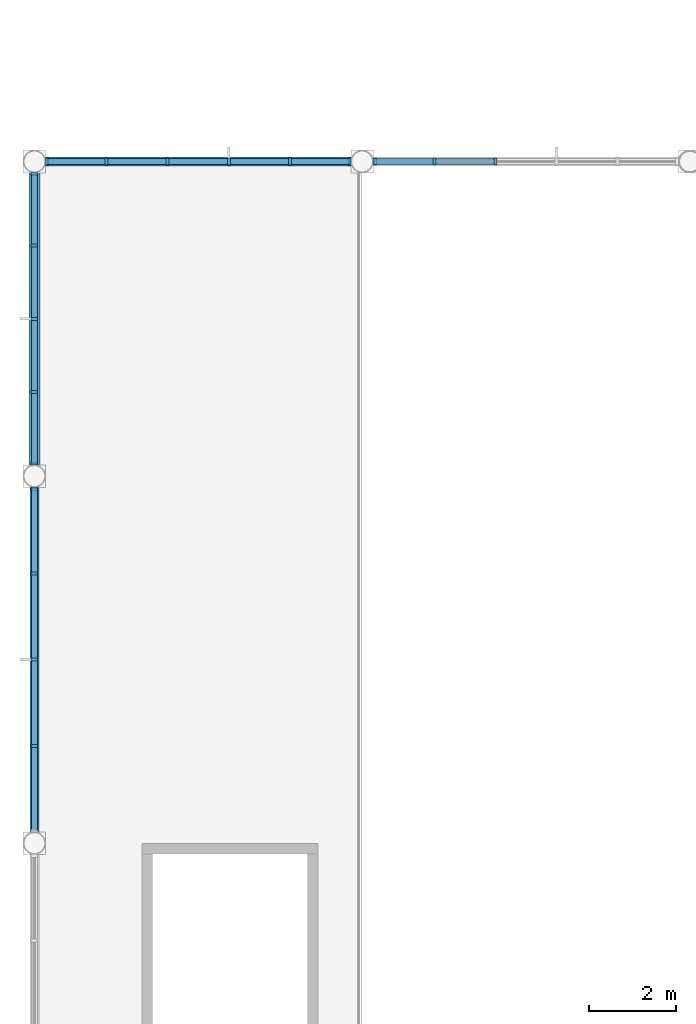
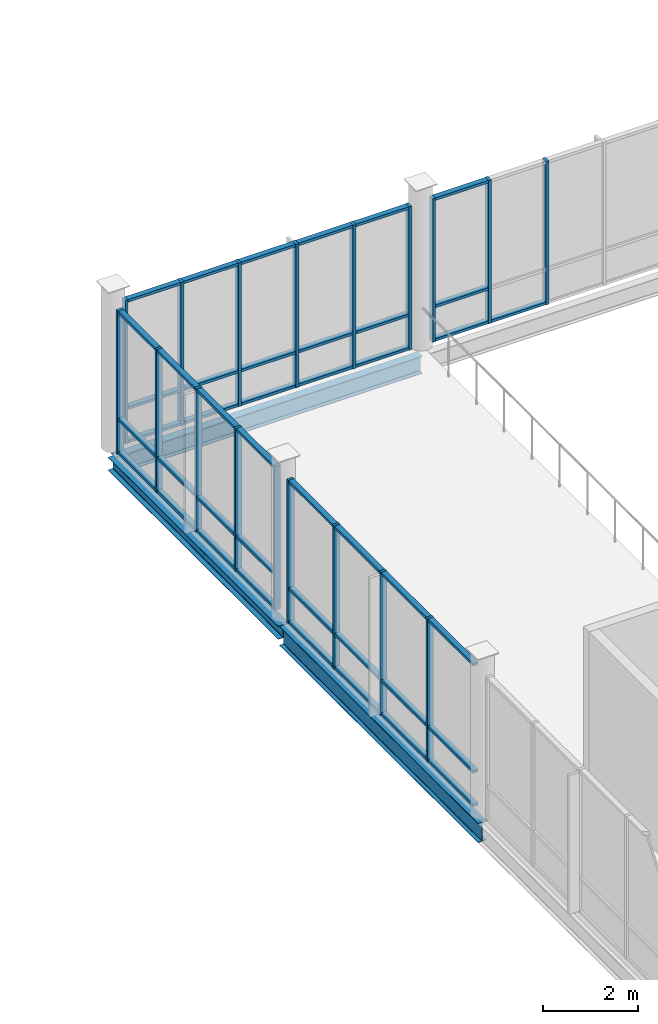
# One storey, part 18 of 75: 61 members, 3 beams, 4 elements without a shape of their own.
"""IFC4 building model written with IfcOpenShell, lengths in metres."""

import ifcopenshell
import ifcopenshell.guid

model = None  # the IFC model being written
_history = None  # IfcOwnerHistory: only IFC2X3 demands one
_inside = {}  # id of a spatial element -> (the spatial element, [elements in it])
_under = {}  # id of a project, library or spatial element -> (it, [spatial elements below it])
_declared = {}  # id of a project -> (the project, [libraries it declares])
_typed = {}  # id of a type object -> (the type object, [elements of that type])
_made_of = {}  # id of a material, layer set ... -> (it, [elements and type objects made of it])


def new_model(schema):
    """Start an empty IFC model of exactly this schema.

    Asked for "IFC4X3", IfcOpenShell would pick the latest addendum, in which some entities
    have other attributes; the version numbers below select the first issue.
    IFC2X3 requires an IfcOwnerHistory on every rooted entity: one is made here for all.
    """
    global model, _history
    if schema == "IFC4X3":
        model = ifcopenshell.file(schema_version=(4, 3, 0, 0))
    else:
        model = ifcopenshell.file(schema=schema)
    _inside.clear()
    _under.clear()
    _declared.clear()
    _typed.clear()
    _made_of.clear()
    _history = None
    if model.schema == "IFC2X3":
        org = make("IfcOrganization", Name="unknown")
        user = make(
            "IfcPersonAndOrganization",
            ThePerson=make("IfcPerson", FamilyName="unknown"),
            TheOrganization=org,
        )
        app = make(
            "IfcApplication",
            ApplicationDeveloper=org,
            Version="unknown",
            ApplicationFullName="unknown",
            ApplicationIdentifier="unknown",
        )
        _history = make(
            "IfcOwnerHistory",
            OwningUser=user,
            OwningApplication=app,
            ChangeAction="ADDED",
            CreationDate=0,
        )
    return model


def make(cls, **values):
    """One entity of the class cls with the attributes given. An attribute that is None is left unset."""
    return model.create_entity(
        cls, **{name: value for name, value in values.items() if value is not None}
    )


def rooted(cls, **values):
    """An entity with a GlobalId (a new one), such as an element, a storey or a relation."""
    return make(cls, GlobalId=ifcopenshell.guid.new(), OwnerHistory=_history, **values)


def si_unit(unit_type, name, prefix=None):
    """IfcSIUnit, for example si_unit("LENGTHUNIT", "METRE", prefix="MILLI")."""
    return make("IfcSIUnit", UnitType=unit_type, Prefix=prefix, Name=name)


def assignment(units):
    """IfcUnitAssignment: the units of a project."""
    return None if units is None else make("IfcUnitAssignment", Units=units)


def point(xyz):
    """IfcCartesianPoint."""
    return None if xyz is None else make("IfcCartesianPoint", Coordinates=xyz)


def direction(xyz):
    """IfcDirection."""
    return None if xyz is None else make("IfcDirection", DirectionRatios=xyz)


def frame(location, z_axis=None, x_axis=None):
    """IfcAxis2Placement3D, a coordinate frame: its origin and axes. An axis left out is left unset."""
    return make(
        "IfcAxis2Placement3D",
        Location=point(location),
        Axis=direction(z_axis),
        RefDirection=direction(x_axis),
    )


def frame_2d(location, x_axis=None):
    """IfcAxis2Placement2D, a coordinate frame in the plane: its origin and x axis."""
    return make(
        "IfcAxis2Placement2D", Location=point(location), RefDirection=direction(x_axis)
    )


def origin():
    """The frame at (0, 0, 0) with its axes left unset."""
    return frame((0.0, 0.0, 0.0))


def origin_2d():
    """The frame at (0, 0) in the plane with its x axis left unset."""
    return frame_2d((0.0, 0.0))


def place(relative_to, where):
    """IfcLocalPlacement: puts the frame where relative to a parent placement (None: the world)."""
    return make(
        "IfcLocalPlacement", PlacementRelTo=relative_to, RelativePlacement=where
    )


def context(
    kind, dimensions, precision=None, world=None, true_north=None, identifier=None
):
    """IfcGeometricRepresentationContext, for example the 3D "Model" context."""
    return make(
        "IfcGeometricRepresentationContext",
        ContextIdentifier=identifier,
        ContextType=kind,
        CoordinateSpaceDimension=dimensions,
        Precision=precision,
        WorldCoordinateSystem=world,
        TrueNorth=true_north,
    )


def subcontext(parent, identifier, kind, view, scale=None):
    """IfcGeometricRepresentationSubContext, for example "Body" below "Model"."""
    return make(
        "IfcGeometricRepresentationSubContext",
        ContextIdentifier=identifier,
        ContextType=kind,
        ParentContext=parent,
        TargetScale=scale,
        TargetView=view,
    )


def project(units=None, contexts=None):
    """IfcProject with its units and contexts."""
    return rooted(
        "IfcProject",
        Name="project",
        RepresentationContexts=contexts,
        UnitsInContext=assignment(units),
    )


def spatial(cls, under=None, at=None, **own):
    """A site, building, storey or space (cls), placed at a placement, below another one or the project."""
    s = rooted(cls, ObjectPlacement=at, **own)
    if under is not None:
        _under.setdefault(under.id(), (under, []))[1].append(s)
    return s


def profile(cls, at=None, kind="AREA", **sizes):
    """A parametric profile (cls). Its sizes go by their IFC names, for example OverallWidth=200.0."""
    return make(cls, ProfileType=kind, Position=at, **sizes)


def rectangle(**sizes):
    """IfcRectangleProfileDef."""
    return profile("IfcRectangleProfileDef", **sizes)


def i_section(**sizes):
    """IfcIShapeProfileDef."""
    return profile("IfcIShapeProfileDef", **sizes)


def extrude(swept, where, along, depth):
    """IfcExtrudedAreaSolid: the profile swept, set in the frame where, extruded along a direction by depth."""
    return make(
        "IfcExtrudedAreaSolid",
        SweptArea=swept,
        Position=where,
        ExtrudedDirection=direction(along),
        Depth=depth,
    )


def shape(context_of_items, identifier, shape_type, items):
    """IfcShapeRepresentation: the items that make up one representation, for example the "Body"."""
    return make(
        "IfcShapeRepresentation",
        ContextOfItems=context_of_items,
        RepresentationIdentifier=identifier,
        RepresentationType=shape_type,
        Items=items,
    )


def material(Name=None, Category=None):
    """IfcMaterial."""
    return make("IfcMaterial", Name=Name, Category=Category)


def layer(
    of_material, thickness, ventilated=None, Name=None, Category=None, Priority=None
):
    """IfcMaterialLayer: one layer of a wall or slab, of a material (None: an air gap)."""
    return make(
        "IfcMaterialLayer",
        Material=of_material,
        LayerThickness=thickness,
        IsVentilated=ventilated,
        Name=Name,
        Category=Category,
        Priority=Priority,
    )


def layer_set(layers, Name=None):
    """IfcMaterialLayerSet."""
    return make("IfcMaterialLayerSet", MaterialLayers=layers, LayerSetName=Name)


def material_profile(
    of_material, cross_section, Name=None, Category=None, Priority=None
):
    """IfcMaterialProfile: a cross section and its material."""
    return make(
        "IfcMaterialProfile",
        Name=Name,
        Material=of_material,
        Profile=cross_section,
        Priority=Priority,
        Category=Category,
    )


def profile_set(profiles, Name=None, composite=None):
    """IfcMaterialProfileSet."""
    return make(
        "IfcMaterialProfileSet",
        Name=Name,
        MaterialProfiles=profiles,
        CompositeProfile=composite,
    )


def made_of(thing, what):
    """Note that an element or type object is made of a material, layer set ...; save() writes the relation."""
    if what is not None:
        _made_of.setdefault(what.id(), (what, []))[1].append(thing)
    return thing


def type_object(cls, material=None, **own):
    """A type object (cls), such as IfcWallType, which elements share."""
    return made_of(rooted(cls, **own), material)


def element(
    cls,
    number,
    at=None,
    inside=None,
    cuts=None,
    type_object=None,
    material=None,
    context=None,
    identifier="Body",
    shape_type=None,
    held_by="IfcProductDefinitionShape",
    body=None,
    shapes=None,
    **own,
):
    """One element of the class cls, such as IfcWall. Its Tag is "e" and its number.

    at: its placement. inside: the storey or other place that contains it. cuts: it is an
    opening in that element (IfcRelVoidsElement). A single representation is given by context,
    identifier, shape_type and body (its items); several are given by shapes. held_by: the class
    of the entity that holds the representations. save() writes the other relations.
    """
    e = rooted(cls, Tag="e%d" % number, ObjectPlacement=at, **own)
    if body is not None:
        shapes = [shape(context, identifier, shape_type, body)]
    if shapes is not None:
        e.Representation = make(held_by, Representations=shapes)
    if inside is not None:
        _inside.setdefault(inside.id(), (inside, []))[1].append(e)
    if cuts is not None:
        rooted(
            "IfcRelVoidsElement", RelatingBuildingElement=cuts, RelatedOpeningElement=e
        )
    if type_object is not None:
        _typed.setdefault(type_object.id(), (type_object, []))[1].append(e)
    return made_of(e, material)


def aggregate(whole, parts):
    """IfcRelAggregates: a whole, such as a stair, and the parts it consists of."""
    return rooted("IfcRelAggregates", RelatingObject=whole, RelatedObjects=parts)


def save(model, path):
    """Write the relations noted so far, then the file.

    IfcRelAggregates (storeys below a building ...), IfcRelContainedInSpatialStructure (elements
    in a storey), IfcRelDefinesByType, IfcRelAssociatesMaterial and IfcRelDeclares: one each for
    every whole, place, type object, material and project.
    """
    for whole, parts in _under.values():
        aggregate(whole, parts)
    for where, things in _inside.values():
        rooted(
            "IfcRelContainedInSpatialStructure",
            RelatedElements=things,
            RelatingStructure=where,
        )
    for kind, things in _typed.values():
        rooted("IfcRelDefinesByType", RelatedObjects=things, RelatingType=kind)
    for what, things in _made_of.values():
        rooted("IfcRelAssociatesMaterial", RelatedObjects=things, RelatingMaterial=what)
    for by, libraries in _declared.values():
        rooted("IfcRelDeclares", RelatingContext=by, RelatedDefinitions=libraries)
    model.write(path)


model = new_model("IFC4")

# Units and contexts
model_context = context("Model", 3, precision=1e-05, world=origin(), true_north=direction((0.0, 1.0)))
body_context = subcontext(model_context, "Body", "Model", "MODEL_VIEW")
ifc_project = project(units=[si_unit("LENGTHUNIT", "METRE"), si_unit("AREAUNIT", "SQUARE_METRE"), si_unit("VOLUMEUNIT", "CUBIC_METRE"), si_unit("PLANEANGLEUNIT", "RADIAN"), si_unit("MASSUNIT", "GRAM", prefix="KILO")], contexts=[model_context])

# Site, building, storey
site_placement = place(None, origin())
site = spatial("IfcSite", under=ifc_project, at=site_placement, CompositionType="ELEMENT")
building_placement = place(site_placement, origin())
building = spatial("IfcBuilding", under=site, at=building_placement, Name="Yukiwa Park Conservatory and Herbarium", CompositionType="ELEMENT")
storey_placement = place(building_placement, frame((0.0, 0.0, 4.800048828125)))
storey = spatial("IfcBuildingStorey", under=building, at=storey_placement, Name="L01", CompositionType="ELEMENT", Elevation=4.800048828125)

# Beams
ifc_material_1 = material(Name="Steel Q355D", Category="steel")
ifc_material_profile_1 = material_profile(ifc_material_1, i_section(OverallWidth=0.25, OverallDepth=0.340087890625, WebThickness=0.009033203125, FlangeThickness=0.013916015625, FilletRadius=0.02001953125, at=origin_2d()), Name="HM 340x250x9x14")
ifc_profile_set_1 = profile_set([ifc_material_profile_1], Name="Steel Q355D")
beam_type_1 = type_object("IfcBeamType", Name="BM-GRD-HM340", PredefinedType="BEAM", material=ifc_profile_set_1)
beam_1_placement = place(storey_placement, frame((0.0, 24.006103515625, -0.41015625), z_axis=(0.0, 1.0, 0.0), x_axis=(-1.0, 0.0, 0.0)))
element("IfcBeam", 1, at=beam_1_placement, inside=storey, type_object=beam_type_1, Name="L01 grid girder Y-106", PredefinedType="BEAM", context=body_context, shape_type="SweptSolid", body=[
    extrude(i_section(OverallWidth=0.25, OverallDepth=0.340087890625, WebThickness=0.009033203125, FlangeThickness=0.013916015625, FilletRadius=0.02001953125, at=origin_2d()), origin(), (0.0, 0.0, 1.0), 7.18798828125),
])
ifc_material_2 = material(Name="Steel Q355D", Category="steel")
ifc_material_profile_2 = material_profile(ifc_material_2, i_section(OverallWidth=0.199951171875, OverallDepth=0.449951171875, WebThickness=0.009033203125, FlangeThickness=0.013916015625, FilletRadius=0.01806640625, at=origin_2d()), Name="HN 450x200x9x14")
ifc_profile_set_2 = profile_set([ifc_material_profile_2], Name="Steel Q355D")
beam_type_2 = type_object("IfcBeamType", Name="BM-GRD-HN450", PredefinedType="BEAM", material=ifc_profile_set_2)
beam_2_placement = place(storey_placement, frame((0.006103515625, 31.199951171875, -0.465087890625), z_axis=(1.0, 0.0, 0.0), x_axis=(0.0, 1.0, 0.0)))
element("IfcBeam", 2, at=beam_2_placement, inside=storey, type_object=beam_type_2, Name="L01 grid beam X-18", PredefinedType="BEAM", context=body_context, shape_type="SweptSolid", body=[
    extrude(i_section(OverallWidth=0.199951171875, OverallDepth=0.449951171875, WebThickness=0.009033203125, FlangeThickness=0.013916015625, FilletRadius=0.01806640625, at=origin_2d()), origin(), (0.0, 0.0, 1.0), 7.48779296875),
])
ifc_material_3 = material(Name="Steel Q355D", Category="steel")
ifc_material_profile_3 = material_profile(ifc_material_3, i_section(OverallWidth=0.199951171875, OverallDepth=0.5, WebThickness=0.010009765625, FlangeThickness=0.01611328125, FilletRadius=0.02001953125, at=origin_2d()), Name="HN 500x200x10x16")
ifc_profile_set_3 = profile_set([ifc_material_profile_3], Name="Steel Q355D")
beam_type_3 = type_object("IfcBeamType", Name="BM-GRD-HN500", PredefinedType="BEAM", material=ifc_profile_set_3)
beam_3_placement = place(storey_placement, frame((0.0, 15.60595703125, -0.489990234375), z_axis=(0.0, 1.0, 0.0), x_axis=(-1.0, 0.0, 0.0)))
element("IfcBeam", 3, at=beam_3_placement, inside=storey, type_object=beam_type_3, Name="L01 grid girder Y-105", PredefinedType="BEAM", context=body_context, shape_type="SweptSolid", body=[
    extrude(i_section(OverallWidth=0.199951171875, OverallDepth=0.5, WebThickness=0.010009765625, FlangeThickness=0.01611328125, FilletRadius=0.02001953125, at=origin_2d()), origin(), (0.0, 0.0, 1.0), 8.387939453125),
])

# Curtain wall, members
ifc_material_4 = material(Name="Triple Low-E Insulated Glass", Category="glass")
ifc_layer_1 = layer(ifc_material_4, 0.152099609375)
ifc_layer_set_1 = layer_set([ifc_layer_1], Name="Triple Low-E Insulated Glass")
curtain_wall_type_1 = type_object("IfcCurtainWallType", Name="CW-CONSERVATORY-1500", PredefinedType="NOTDEFINED", material=ifc_layer_set_1)
curtain_wall_1_placement = place(storey_placement, origin())
curtain_wall_1 = element("IfcCurtainWall", 4, at=curtain_wall_1_placement, inside=storey, type_object=curtain_wall_type_1, Name="L01 unitised curtain wall CW-L01-056", PredefinedType="NOTDEFINED")
ifc_material_5 = material(Name="Anodised Aluminium", Category="aluminium")
member_type_1 = type_object("IfcMemberType", Name="MB-CW-MUL-70X150", PredefinedType="MULLION", material=ifc_material_5)
member_1_placement = place(storey_placement, frame((10.55078125, 31.199951171875, 0.0), z_axis=(0.0, 0.0, 1.0), x_axis=(-1.0, 0.0, 0.0)))
member_1 = element("IfcMember", 5, at=member_1_placement, type_object=member_type_1, Name="CW-L01-056 mullion 4", PredefinedType="MULLION", context=body_context, shape_type="SweptSolid", body=[
    extrude(rectangle(XDim=0.070068359375, YDim=0.14990234375, at=origin_2d()), origin(), (0.0, 0.0, 1.0), 3.699951171875),
])
member_2_placement = place(storey_placement, frame((9.15234375, 31.199951171875, 0.0), z_axis=(0.0, 0.0, 1.0), x_axis=(-1.0, 0.0, 0.0)))
member_2 = element("IfcMember", 6, at=member_2_placement, type_object=member_type_1, Name="CW-L01-056 mullion 5", PredefinedType="MULLION", context=body_context, shape_type="SweptSolid", body=[
    extrude(rectangle(XDim=0.070068359375, YDim=0.14990234375, at=origin_2d()), origin(), (0.0, 0.0, 1.0), 3.699951171875),
])
member_3_placement = place(storey_placement, frame((7.7890625, 31.199951171875, 0.0), z_axis=(0.0, 0.0, 1.0), x_axis=(-1.0, 0.0, 0.0)))
member_3 = element("IfcMember", 7, at=member_3_placement, type_object=member_type_1, Name="CW-L01-056 mullion 6", PredefinedType="MULLION", context=body_context, shape_type="SweptSolid", body=[
    extrude(rectangle(XDim=0.070068359375, YDim=0.14990234375, at=origin_2d()), origin(), (0.0, 0.0, 1.0), 3.699951171875),
])

curtain_wall_2_placement = place(storey_placement, origin())
curtain_wall_2 = element("IfcCurtainWall", 8, at=curtain_wall_2_placement, inside=storey, type_object=curtain_wall_type_1, Name="L01 unitised curtain wall CW-L01-057", PredefinedType="NOTDEFINED")
member_4_placement = place(storey_placement, frame((7.2109375, 31.199951171875, 0.0), z_axis=(0.0, 0.0, 1.0), x_axis=(-1.0, 0.0, 0.0)))
member_4 = element("IfcMember", 9, at=member_4_placement, type_object=member_type_1, Name="CW-L01-057 mullion 1", PredefinedType="MULLION", context=body_context, shape_type="SweptSolid", body=[
    extrude(rectangle(XDim=0.070068359375, YDim=0.14990234375, at=origin_2d()), origin(), (0.0, 0.0, 1.0), 3.699951171875),
])
member_5_placement = place(storey_placement, frame((5.84765625, 31.199951171875, 0.0), z_axis=(0.0, 0.0, 1.0), x_axis=(-1.0, 0.0, 0.0)))
member_5 = element("IfcMember", 10, at=member_5_placement, type_object=member_type_1, Name="CW-L01-057 mullion 2", PredefinedType="MULLION", context=body_context, shape_type="SweptSolid", body=[
    extrude(rectangle(XDim=0.070068359375, YDim=0.14990234375, at=origin_2d()), origin(), (0.0, 0.0, 1.0), 3.699951171875),
])
member_6_placement = place(storey_placement, frame((4.44921875, 31.199951171875, 0.0), z_axis=(0.0, 0.0, 1.0), x_axis=(-1.0, 0.0, 0.0)))
member_6 = element("IfcMember", 11, at=member_6_placement, type_object=member_type_1, Name="CW-L01-057 mullion 3", PredefinedType="MULLION", context=body_context, shape_type="SweptSolid", body=[
    extrude(rectangle(XDim=0.070068359375, YDim=0.14990234375, at=origin_2d()), origin(), (0.0, 0.0, 1.0), 3.699951171875),
])
member_7_placement = place(storey_placement, frame((3.05078125, 31.199951171875, 0.0), z_axis=(0.0, 0.0, 1.0), x_axis=(-1.0, 0.0, 0.0)))
member_7 = element("IfcMember", 12, at=member_7_placement, type_object=member_type_1, Name="CW-L01-057 mullion 4", PredefinedType="MULLION", context=body_context, shape_type="SweptSolid", body=[
    extrude(rectangle(XDim=0.070068359375, YDim=0.14990234375, at=origin_2d()), origin(), (0.0, 0.0, 1.0), 3.699951171875),
])
member_8_placement = place(storey_placement, frame((1.65234375, 31.199951171875, 0.0), z_axis=(0.0, 0.0, 1.0), x_axis=(-1.0, 0.0, 0.0)))
member_8 = element("IfcMember", 13, at=member_8_placement, type_object=member_type_1, Name="CW-L01-057 mullion 5", PredefinedType="MULLION", context=body_context, shape_type="SweptSolid", body=[
    extrude(rectangle(XDim=0.070068359375, YDim=0.14990234375, at=origin_2d()), origin(), (0.0, 0.0, 1.0), 3.699951171875),
])
member_9_placement = place(storey_placement, frame((0.2890625, 31.199951171875, 0.0), z_axis=(0.0, 0.0, 1.0), x_axis=(-1.0, 0.0, 0.0)))
member_9 = element("IfcMember", 14, at=member_9_placement, type_object=member_type_1, Name="CW-L01-057 mullion 6", PredefinedType="MULLION", context=body_context, shape_type="SweptSolid", body=[
    extrude(rectangle(XDim=0.070068359375, YDim=0.14990234375, at=origin_2d()), origin(), (0.0, 0.0, 1.0), 3.699951171875),
])

ifc_material_6 = material(Name="Triple Low-E Insulated Glass", Category="glass")
ifc_layer_2 = layer(ifc_material_6, 0.1640625)
ifc_layer_set_2 = layer_set([ifc_layer_2], Name="Triple Low-E Insulated Glass")
curtain_wall_type_2 = type_object("IfcCurtainWallType", Name="CW-CONSERVATORY-1875", PredefinedType="NOTDEFINED", material=ifc_layer_set_2)
curtain_wall_3_placement = place(storey_placement, origin())
curtain_wall_3 = element("IfcCurtainWall", 15, at=curtain_wall_3_placement, inside=storey, type_object=curtain_wall_type_2, Name="L01 unitised curtain wall CW-L01-058", PredefinedType="NOTDEFINED")
member_10_placement = place(storey_placement, frame((0.0, 30.910888671875, 0.0), z_axis=(0.0, 0.0, 1.0), x_axis=(0.0, -1.0, 0.0)))
member_10 = element("IfcMember", 16, at=member_10_placement, type_object=member_type_1, Name="CW-L01-058 mullion 1", PredefinedType="MULLION", context=body_context, shape_type="SweptSolid", body=[
    extrude(rectangle(XDim=0.070068359375, YDim=0.14990234375, at=origin_2d()), origin(), (0.0, 0.0, 1.0), 3.699951171875),
])
member_11_placement = place(storey_placement, frame((0.0, 29.27294921875, 0.0), z_axis=(0.0, 0.0, 1.0), x_axis=(0.0, -1.0, 0.0)))
member_11 = element("IfcMember", 17, at=member_11_placement, type_object=member_type_1, Name="CW-L01-058 mullion 2", PredefinedType="MULLION", context=body_context, shape_type="SweptSolid", body=[
    extrude(rectangle(XDim=0.070068359375, YDim=0.14990234375, at=origin_2d()), origin(), (0.0, 0.0, 1.0), 3.699951171875),
])
member_12_placement = place(storey_placement, frame((0.0, 27.60009765625, 0.0), z_axis=(0.0, 0.0, 1.0), x_axis=(0.0, -1.0, 0.0)))
member_12 = element("IfcMember", 18, at=member_12_placement, type_object=member_type_1, Name="CW-L01-058 mullion 3", PredefinedType="MULLION", context=body_context, shape_type="SweptSolid", body=[
    extrude(rectangle(XDim=0.070068359375, YDim=0.14990234375, at=origin_2d()), origin(), (0.0, 0.0, 1.0), 3.699951171875),
])
member_13_placement = place(storey_placement, frame((0.0, 25.927001953125, 0.0), z_axis=(0.0, 0.0, 1.0), x_axis=(0.0, -1.0, 0.0)))
member_13 = element("IfcMember", 19, at=member_13_placement, type_object=member_type_1, Name="CW-L01-058 mullion 4", PredefinedType="MULLION", context=body_context, shape_type="SweptSolid", body=[
    extrude(rectangle(XDim=0.070068359375, YDim=0.14990234375, at=origin_2d()), origin(), (0.0, 0.0, 1.0), 3.699951171875),
])
member_14_placement = place(storey_placement, frame((0.0, 24.2890625, 0.0), z_axis=(0.0, 0.0, 1.0), x_axis=(0.0, -1.0, 0.0)))
member_14 = element("IfcMember", 20, at=member_14_placement, type_object=member_type_1, Name="CW-L01-058 mullion 5", PredefinedType="MULLION", context=body_context, shape_type="SweptSolid", body=[
    extrude(rectangle(XDim=0.070068359375, YDim=0.14990234375, at=origin_2d()), origin(), (0.0, 0.0, 1.0), 3.699951171875),
])

curtain_wall_4_placement = place(storey_placement, origin())
curtain_wall_4 = element("IfcCurtainWall", 21, at=curtain_wall_4_placement, inside=storey, type_object=curtain_wall_type_2, Name="L01 unitised curtain wall CW-L01-059", PredefinedType="NOTDEFINED")
member_15_placement = place(storey_placement, frame((0.0, 23.7109375, 0.0), z_axis=(0.0, 0.0, 1.0), x_axis=(0.0, -1.0, 0.0)))
member_15 = element("IfcMember", 22, at=member_15_placement, type_object=member_type_1, Name="CW-L01-059 mullion 1", PredefinedType="MULLION", context=body_context, shape_type="SweptSolid", body=[
    extrude(rectangle(XDim=0.070068359375, YDim=0.14990234375, at=origin_2d()), origin(), (0.0, 0.0, 1.0), 3.699951171875),
])
member_16_placement = place(storey_placement, frame((0.0, 21.77294921875, 0.0), z_axis=(0.0, 0.0, 1.0), x_axis=(0.0, -1.0, 0.0)))
member_16 = element("IfcMember", 23, at=member_16_placement, type_object=member_type_1, Name="CW-L01-059 mullion 2", PredefinedType="MULLION", context=body_context, shape_type="SweptSolid", body=[
    extrude(rectangle(XDim=0.070068359375, YDim=0.14990234375, at=origin_2d()), origin(), (0.0, 0.0, 1.0), 3.699951171875),
])
member_17_placement = place(storey_placement, frame((0.0, 19.800048828125, 0.0), z_axis=(0.0, 0.0, 1.0), x_axis=(0.0, -1.0, 0.0)))
member_17 = element("IfcMember", 24, at=member_17_placement, type_object=member_type_1, Name="CW-L01-059 mullion 3", PredefinedType="MULLION", context=body_context, shape_type="SweptSolid", body=[
    extrude(rectangle(XDim=0.070068359375, YDim=0.14990234375, at=origin_2d()), origin(), (0.0, 0.0, 1.0), 3.699951171875),
])
member_18_placement = place(storey_placement, frame((0.0, 17.826904296875, 0.0), z_axis=(0.0, 0.0, 1.0), x_axis=(0.0, -1.0, 0.0)))
member_18 = element("IfcMember", 25, at=member_18_placement, type_object=member_type_1, Name="CW-L01-059 mullion 4", PredefinedType="MULLION", context=body_context, shape_type="SweptSolid", body=[
    extrude(rectangle(XDim=0.070068359375, YDim=0.14990234375, at=origin_2d()), origin(), (0.0, 0.0, 1.0), 3.699951171875),
])

# Member
ifc_material_7 = material(Name="Anodised Aluminium", Category="aluminium")
member_type_2 = type_object("IfcMemberType", Name="MB-CW-TRN-70X130", PredefinedType="USERDEFINED", material=ifc_material_7)
member_19_placement = place(storey_placement, frame((9.8515625, 31.199951171875, 0.0), z_axis=(0.0, 0.0, 1.0), x_axis=(-1.0, 0.0, 0.0)))
member_19 = element("IfcMember", 26, at=member_19_placement, type_object=member_type_2, Name="CW-L01-056 transom 4.1", ObjectType="TRANSOM", PredefinedType="USERDEFINED", context=body_context, shape_type="SweptSolid", body=[
    extrude(rectangle(XDim=1.328369140625, YDim=0.1298828125, at=origin_2d()), origin(), (0.0, 0.0, 1.0), 0.070068359375),
])

member_20_placement = place(storey_placement, frame((8.453125, 31.199951171875, 0.0), z_axis=(0.0, 0.0, 1.0), x_axis=(-1.0, 0.0, 0.0)))
member_20 = element("IfcMember", 27, at=member_20_placement, type_object=member_type_2, Name="CW-L01-056 transom 5.1", ObjectType="TRANSOM", PredefinedType="USERDEFINED", context=body_context, shape_type="SweptSolid", body=[
    extrude(rectangle(XDim=1.328369140625, YDim=0.1298828125, at=origin_2d()), origin(), (0.0, 0.0, 1.0), 0.070068359375),
])

member_21_placement = place(storey_placement, frame((8.453125, 31.199951171875, 0.86474609375), z_axis=(0.0, 0.0, 1.0), x_axis=(-1.0, 0.0, 0.0)))
member_21 = element("IfcMember", 28, at=member_21_placement, type_object=member_type_2, Name="CW-L01-056 transom 5.2", ObjectType="TRANSOM", PredefinedType="USERDEFINED", context=body_context, shape_type="SweptSolid", body=[
    extrude(rectangle(XDim=1.328369140625, YDim=0.1298828125, at=origin_2d()), origin(), (0.0, 0.0, 1.0), 0.070068359375),
])

member_22_placement = place(storey_placement, frame((8.453125, 31.199951171875, 3.6298828125), z_axis=(0.0, 0.0, 1.0), x_axis=(-1.0, 0.0, 0.0)))
member_22 = element("IfcMember", 29, at=member_22_placement, type_object=member_type_2, Name="CW-L01-056 transom 5.3", ObjectType="TRANSOM", PredefinedType="USERDEFINED", context=body_context, shape_type="SweptSolid", body=[
    extrude(rectangle(XDim=1.328369140625, YDim=0.1298828125, at=origin_2d()), origin(), (0.0, 0.0, 1.0), 0.070068359375),
])

aggregate(curtain_wall_1, [member_1, member_2, member_3, member_19, member_20, member_21, member_22])

member_23_placement = place(storey_placement, frame((6.546875, 31.199951171875, 0.0), z_axis=(0.0, 0.0, 1.0), x_axis=(-1.0, 0.0, 0.0)))
member_23 = element("IfcMember", 30, at=member_23_placement, type_object=member_type_2, Name="CW-L01-057 transom 1.1", ObjectType="TRANSOM", PredefinedType="USERDEFINED", context=body_context, shape_type="SweptSolid", body=[
    extrude(rectangle(XDim=1.328369140625, YDim=0.1298828125, at=origin_2d()), origin(), (0.0, 0.0, 1.0), 0.070068359375),
])

member_24_placement = place(storey_placement, frame((6.546875, 31.199951171875, 0.86474609375), z_axis=(0.0, 0.0, 1.0), x_axis=(-1.0, 0.0, 0.0)))
member_24 = element("IfcMember", 31, at=member_24_placement, type_object=member_type_2, Name="CW-L01-057 transom 1.2", ObjectType="TRANSOM", PredefinedType="USERDEFINED", context=body_context, shape_type="SweptSolid", body=[
    extrude(rectangle(XDim=1.328369140625, YDim=0.1298828125, at=origin_2d()), origin(), (0.0, 0.0, 1.0), 0.070068359375),
])

member_25_placement = place(storey_placement, frame((6.546875, 31.199951171875, 3.6298828125), z_axis=(0.0, 0.0, 1.0), x_axis=(-1.0, 0.0, 0.0)))
member_25 = element("IfcMember", 32, at=member_25_placement, type_object=member_type_2, Name="CW-L01-057 transom 1.3", ObjectType="TRANSOM", PredefinedType="USERDEFINED", context=body_context, shape_type="SweptSolid", body=[
    extrude(rectangle(XDim=1.328369140625, YDim=0.1298828125, at=origin_2d()), origin(), (0.0, 0.0, 1.0), 0.070068359375),
])

member_26_placement = place(storey_placement, frame((5.1484375, 31.199951171875, 0.0), z_axis=(0.0, 0.0, 1.0), x_axis=(-1.0, 0.0, 0.0)))
member_26 = element("IfcMember", 33, at=member_26_placement, type_object=member_type_2, Name="CW-L01-057 transom 2.1", ObjectType="TRANSOM", PredefinedType="USERDEFINED", context=body_context, shape_type="SweptSolid", body=[
    extrude(rectangle(XDim=1.328369140625, YDim=0.1298828125, at=origin_2d()), origin(), (0.0, 0.0, 1.0), 0.070068359375),
])

member_27_placement = place(storey_placement, frame((5.1484375, 31.199951171875, 0.86474609375), z_axis=(0.0, 0.0, 1.0), x_axis=(-1.0, 0.0, 0.0)))
member_27 = element("IfcMember", 34, at=member_27_placement, type_object=member_type_2, Name="CW-L01-057 transom 2.2", ObjectType="TRANSOM", PredefinedType="USERDEFINED", context=body_context, shape_type="SweptSolid", body=[
    extrude(rectangle(XDim=1.328369140625, YDim=0.1298828125, at=origin_2d()), origin(), (0.0, 0.0, 1.0), 0.070068359375),
])

member_28_placement = place(storey_placement, frame((5.1484375, 31.199951171875, 3.6298828125), z_axis=(0.0, 0.0, 1.0), x_axis=(-1.0, 0.0, 0.0)))
member_28 = element("IfcMember", 35, at=member_28_placement, type_object=member_type_2, Name="CW-L01-057 transom 2.3", ObjectType="TRANSOM", PredefinedType="USERDEFINED", context=body_context, shape_type="SweptSolid", body=[
    extrude(rectangle(XDim=1.328369140625, YDim=0.1298828125, at=origin_2d()), origin(), (0.0, 0.0, 1.0), 0.070068359375),
])

member_29_placement = place(storey_placement, frame((3.75, 31.199951171875, 0.0), z_axis=(0.0, 0.0, 1.0), x_axis=(-1.0, 0.0, 0.0)))
member_29 = element("IfcMember", 36, at=member_29_placement, type_object=member_type_2, Name="CW-L01-057 transom 3.1", ObjectType="TRANSOM", PredefinedType="USERDEFINED", context=body_context, shape_type="SweptSolid", body=[
    extrude(rectangle(XDim=1.328369140625, YDim=0.1298828125, at=origin_2d()), origin(), (0.0, 0.0, 1.0), 0.070068359375),
])

member_30_placement = place(storey_placement, frame((3.75, 31.199951171875, 0.86474609375), z_axis=(0.0, 0.0, 1.0), x_axis=(-1.0, 0.0, 0.0)))
member_30 = element("IfcMember", 37, at=member_30_placement, type_object=member_type_2, Name="CW-L01-057 transom 3.2", ObjectType="TRANSOM", PredefinedType="USERDEFINED", context=body_context, shape_type="SweptSolid", body=[
    extrude(rectangle(XDim=1.328369140625, YDim=0.1298828125, at=origin_2d()), origin(), (0.0, 0.0, 1.0), 0.070068359375),
])

member_31_placement = place(storey_placement, frame((3.75, 31.199951171875, 3.6298828125), z_axis=(0.0, 0.0, 1.0), x_axis=(-1.0, 0.0, 0.0)))
member_31 = element("IfcMember", 38, at=member_31_placement, type_object=member_type_2, Name="CW-L01-057 transom 3.3", ObjectType="TRANSOM", PredefinedType="USERDEFINED", context=body_context, shape_type="SweptSolid", body=[
    extrude(rectangle(XDim=1.328369140625, YDim=0.1298828125, at=origin_2d()), origin(), (0.0, 0.0, 1.0), 0.070068359375),
])

member_32_placement = place(storey_placement, frame((2.3515625, 31.199951171875, 0.0), z_axis=(0.0, 0.0, 1.0), x_axis=(-1.0, 0.0, 0.0)))
member_32 = element("IfcMember", 39, at=member_32_placement, type_object=member_type_2, Name="CW-L01-057 transom 4.1", ObjectType="TRANSOM", PredefinedType="USERDEFINED", context=body_context, shape_type="SweptSolid", body=[
    extrude(rectangle(XDim=1.328369140625, YDim=0.1298828125, at=origin_2d()), origin(), (0.0, 0.0, 1.0), 0.070068359375),
])

member_33_placement = place(storey_placement, frame((2.3515625, 31.199951171875, 0.86474609375), z_axis=(0.0, 0.0, 1.0), x_axis=(-1.0, 0.0, 0.0)))
member_33 = element("IfcMember", 40, at=member_33_placement, type_object=member_type_2, Name="CW-L01-057 transom 4.2", ObjectType="TRANSOM", PredefinedType="USERDEFINED", context=body_context, shape_type="SweptSolid", body=[
    extrude(rectangle(XDim=1.328369140625, YDim=0.1298828125, at=origin_2d()), origin(), (0.0, 0.0, 1.0), 0.070068359375),
])

member_34_placement = place(storey_placement, frame((2.3515625, 31.199951171875, 3.6298828125), z_axis=(0.0, 0.0, 1.0), x_axis=(-1.0, 0.0, 0.0)))
member_34 = element("IfcMember", 41, at=member_34_placement, type_object=member_type_2, Name="CW-L01-057 transom 4.3", ObjectType="TRANSOM", PredefinedType="USERDEFINED", context=body_context, shape_type="SweptSolid", body=[
    extrude(rectangle(XDim=1.328369140625, YDim=0.1298828125, at=origin_2d()), origin(), (0.0, 0.0, 1.0), 0.070068359375),
])

member_35_placement = place(storey_placement, frame((0.953125, 31.199951171875, 0.0), z_axis=(0.0, 0.0, 1.0), x_axis=(-1.0, 0.0, 0.0)))
member_35 = element("IfcMember", 42, at=member_35_placement, type_object=member_type_2, Name="CW-L01-057 transom 5.1", ObjectType="TRANSOM", PredefinedType="USERDEFINED", context=body_context, shape_type="SweptSolid", body=[
    extrude(rectangle(XDim=1.328369140625, YDim=0.1298828125, at=origin_2d()), origin(), (0.0, 0.0, 1.0), 0.070068359375),
])

member_36_placement = place(storey_placement, frame((0.953125, 31.199951171875, 0.86474609375), z_axis=(0.0, 0.0, 1.0), x_axis=(-1.0, 0.0, 0.0)))
member_36 = element("IfcMember", 43, at=member_36_placement, type_object=member_type_2, Name="CW-L01-057 transom 5.2", ObjectType="TRANSOM", PredefinedType="USERDEFINED", context=body_context, shape_type="SweptSolid", body=[
    extrude(rectangle(XDim=1.328369140625, YDim=0.1298828125, at=origin_2d()), origin(), (0.0, 0.0, 1.0), 0.070068359375),
])

member_37_placement = place(storey_placement, frame((0.953125, 31.199951171875, 3.6298828125), z_axis=(0.0, 0.0, 1.0), x_axis=(-1.0, 0.0, 0.0)))
member_37 = element("IfcMember", 44, at=member_37_placement, type_object=member_type_2, Name="CW-L01-057 transom 5.3", ObjectType="TRANSOM", PredefinedType="USERDEFINED", context=body_context, shape_type="SweptSolid", body=[
    extrude(rectangle(XDim=1.328369140625, YDim=0.1298828125, at=origin_2d()), origin(), (0.0, 0.0, 1.0), 0.070068359375),
])

aggregate(curtain_wall_2, [member_4, member_5, member_6, member_7, member_8, member_9, member_23, member_24, member_25, member_26, member_27, member_28, member_29, member_30, member_31, member_32, member_33, member_34, member_35, member_36, member_37])

member_38_placement = place(storey_placement, frame((0.0, 30.109619140625, 0.0), z_axis=(0.0, 0.0, 1.0), x_axis=(0.0, -1.0, 0.0)))
member_38 = element("IfcMember", 45, at=member_38_placement, type_object=member_type_2, Name="CW-L01-058 transom 1.1", ObjectType="TRANSOM", PredefinedType="USERDEFINED", context=body_context, shape_type="SweptSolid", body=[
    extrude(rectangle(XDim=1.60302734375, YDim=0.1298828125, at=origin_2d()), origin(), (0.0, 0.0, 1.0), 0.070068359375),
])

member_39_placement = place(storey_placement, frame((0.0, 30.109619140625, 0.86474609375), z_axis=(0.0, 0.0, 1.0), x_axis=(0.0, -1.0, 0.0)))
member_39 = element("IfcMember", 46, at=member_39_placement, type_object=member_type_2, Name="CW-L01-058 transom 1.2", ObjectType="TRANSOM", PredefinedType="USERDEFINED", context=body_context, shape_type="SweptSolid", body=[
    extrude(rectangle(XDim=1.60302734375, YDim=0.1298828125, at=origin_2d()), origin(), (0.0, 0.0, 1.0), 0.070068359375),
])

member_40_placement = place(storey_placement, frame((0.0, 30.109619140625, 3.6298828125), z_axis=(0.0, 0.0, 1.0), x_axis=(0.0, -1.0, 0.0)))
member_40 = element("IfcMember", 47, at=member_40_placement, type_object=member_type_2, Name="CW-L01-058 transom 1.3", ObjectType="TRANSOM", PredefinedType="USERDEFINED", context=body_context, shape_type="SweptSolid", body=[
    extrude(rectangle(XDim=1.60302734375, YDim=0.1298828125, at=origin_2d()), origin(), (0.0, 0.0, 1.0), 0.070068359375),
])

member_41_placement = place(storey_placement, frame((0.0, 28.4365234375, 0.0), z_axis=(0.0, 0.0, 1.0), x_axis=(0.0, -1.0, 0.0)))
member_41 = element("IfcMember", 48, at=member_41_placement, type_object=member_type_2, Name="CW-L01-058 transom 2.1", ObjectType="TRANSOM", PredefinedType="USERDEFINED", context=body_context, shape_type="SweptSolid", body=[
    extrude(rectangle(XDim=1.60302734375, YDim=0.1298828125, at=origin_2d()), origin(), (0.0, 0.0, 1.0), 0.070068359375),
])

member_42_placement = place(storey_placement, frame((0.0, 28.4365234375, 0.86474609375), z_axis=(0.0, 0.0, 1.0), x_axis=(0.0, -1.0, 0.0)))
member_42 = element("IfcMember", 49, at=member_42_placement, type_object=member_type_2, Name="CW-L01-058 transom 2.2", ObjectType="TRANSOM", PredefinedType="USERDEFINED", context=body_context, shape_type="SweptSolid", body=[
    extrude(rectangle(XDim=1.60302734375, YDim=0.1298828125, at=origin_2d()), origin(), (0.0, 0.0, 1.0), 0.070068359375),
])

member_43_placement = place(storey_placement, frame((0.0, 28.4365234375, 3.6298828125), z_axis=(0.0, 0.0, 1.0), x_axis=(0.0, -1.0, 0.0)))
member_43 = element("IfcMember", 50, at=member_43_placement, type_object=member_type_2, Name="CW-L01-058 transom 2.3", ObjectType="TRANSOM", PredefinedType="USERDEFINED", context=body_context, shape_type="SweptSolid", body=[
    extrude(rectangle(XDim=1.60302734375, YDim=0.1298828125, at=origin_2d()), origin(), (0.0, 0.0, 1.0), 0.070068359375),
])

member_44_placement = place(storey_placement, frame((0.0, 26.763427734375, 0.0), z_axis=(0.0, 0.0, 1.0), x_axis=(0.0, -1.0, 0.0)))
member_44 = element("IfcMember", 51, at=member_44_placement, type_object=member_type_2, Name="CW-L01-058 transom 3.1", ObjectType="TRANSOM", PredefinedType="USERDEFINED", context=body_context, shape_type="SweptSolid", body=[
    extrude(rectangle(XDim=1.60302734375, YDim=0.1298828125, at=origin_2d()), origin(), (0.0, 0.0, 1.0), 0.070068359375),
])

member_45_placement = place(storey_placement, frame((0.0, 26.763427734375, 0.86474609375), z_axis=(0.0, 0.0, 1.0), x_axis=(0.0, -1.0, 0.0)))
member_45 = element("IfcMember", 52, at=member_45_placement, type_object=member_type_2, Name="CW-L01-058 transom 3.2", ObjectType="TRANSOM", PredefinedType="USERDEFINED", context=body_context, shape_type="SweptSolid", body=[
    extrude(rectangle(XDim=1.60302734375, YDim=0.1298828125, at=origin_2d()), origin(), (0.0, 0.0, 1.0), 0.070068359375),
])

member_46_placement = place(storey_placement, frame((0.0, 26.763427734375, 3.6298828125), z_axis=(0.0, 0.0, 1.0), x_axis=(0.0, -1.0, 0.0)))
member_46 = element("IfcMember", 53, at=member_46_placement, type_object=member_type_2, Name="CW-L01-058 transom 3.3", ObjectType="TRANSOM", PredefinedType="USERDEFINED", context=body_context, shape_type="SweptSolid", body=[
    extrude(rectangle(XDim=1.60302734375, YDim=0.1298828125, at=origin_2d()), origin(), (0.0, 0.0, 1.0), 0.070068359375),
])

member_47_placement = place(storey_placement, frame((0.0, 25.090576171875, 0.0), z_axis=(0.0, 0.0, 1.0), x_axis=(0.0, -1.0, 0.0)))
member_47 = element("IfcMember", 54, at=member_47_placement, type_object=member_type_2, Name="CW-L01-058 transom 4.1", ObjectType="TRANSOM", PredefinedType="USERDEFINED", context=body_context, shape_type="SweptSolid", body=[
    extrude(rectangle(XDim=1.60302734375, YDim=0.1298828125, at=origin_2d()), origin(), (0.0, 0.0, 1.0), 0.070068359375),
])

member_48_placement = place(storey_placement, frame((0.0, 25.090576171875, 0.86474609375), z_axis=(0.0, 0.0, 1.0), x_axis=(0.0, -1.0, 0.0)))
member_48 = element("IfcMember", 55, at=member_48_placement, type_object=member_type_2, Name="CW-L01-058 transom 4.2", ObjectType="TRANSOM", PredefinedType="USERDEFINED", context=body_context, shape_type="SweptSolid", body=[
    extrude(rectangle(XDim=1.60302734375, YDim=0.1298828125, at=origin_2d()), origin(), (0.0, 0.0, 1.0), 0.070068359375),
])

member_49_placement = place(storey_placement, frame((0.0, 25.090576171875, 3.6298828125), z_axis=(0.0, 0.0, 1.0), x_axis=(0.0, -1.0, 0.0)))
member_49 = element("IfcMember", 56, at=member_49_placement, type_object=member_type_2, Name="CW-L01-058 transom 4.3", ObjectType="TRANSOM", PredefinedType="USERDEFINED", context=body_context, shape_type="SweptSolid", body=[
    extrude(rectangle(XDim=1.60302734375, YDim=0.1298828125, at=origin_2d()), origin(), (0.0, 0.0, 1.0), 0.070068359375),
])

aggregate(curtain_wall_3, [member_10, member_11, member_12, member_13, member_14, member_38, member_39, member_40, member_41, member_42, member_43, member_44, member_45, member_46, member_47, member_48, member_49])

member_50_placement = place(storey_placement, frame((0.0, 22.759521484375, 0.0), z_axis=(0.0, 0.0, 1.0), x_axis=(0.0, -1.0, 0.0)))
member_50 = element("IfcMember", 57, at=member_50_placement, type_object=member_type_2, Name="CW-L01-059 transom 1.1", ObjectType="TRANSOM", PredefinedType="USERDEFINED", context=body_context, shape_type="SweptSolid", body=[
    extrude(rectangle(XDim=1.903076171875, YDim=0.1298828125, at=origin_2d()), origin(), (0.0, 0.0, 1.0), 0.070068359375),
])

member_51_placement = place(storey_placement, frame((0.0, 22.759521484375, 0.86474609375), z_axis=(0.0, 0.0, 1.0), x_axis=(0.0, -1.0, 0.0)))
member_51 = element("IfcMember", 58, at=member_51_placement, type_object=member_type_2, Name="CW-L01-059 transom 1.2", ObjectType="TRANSOM", PredefinedType="USERDEFINED", context=body_context, shape_type="SweptSolid", body=[
    extrude(rectangle(XDim=1.903076171875, YDim=0.1298828125, at=origin_2d()), origin(), (0.0, 0.0, 1.0), 0.070068359375),
])

member_52_placement = place(storey_placement, frame((0.0, 22.759521484375, 3.6298828125), z_axis=(0.0, 0.0, 1.0), x_axis=(0.0, -1.0, 0.0)))
member_52 = element("IfcMember", 59, at=member_52_placement, type_object=member_type_2, Name="CW-L01-059 transom 1.3", ObjectType="TRANSOM", PredefinedType="USERDEFINED", context=body_context, shape_type="SweptSolid", body=[
    extrude(rectangle(XDim=1.903076171875, YDim=0.1298828125, at=origin_2d()), origin(), (0.0, 0.0, 1.0), 0.070068359375),
])

member_53_placement = place(storey_placement, frame((0.0, 20.78662109375, 0.0), z_axis=(0.0, 0.0, 1.0), x_axis=(0.0, -1.0, 0.0)))
member_53 = element("IfcMember", 60, at=member_53_placement, type_object=member_type_2, Name="CW-L01-059 transom 2.1", ObjectType="TRANSOM", PredefinedType="USERDEFINED", context=body_context, shape_type="SweptSolid", body=[
    extrude(rectangle(XDim=1.903076171875, YDim=0.1298828125, at=origin_2d()), origin(), (0.0, 0.0, 1.0), 0.070068359375),
])

member_54_placement = place(storey_placement, frame((0.0, 20.78662109375, 0.86474609375), z_axis=(0.0, 0.0, 1.0), x_axis=(0.0, -1.0, 0.0)))
member_54 = element("IfcMember", 61, at=member_54_placement, type_object=member_type_2, Name="CW-L01-059 transom 2.2", ObjectType="TRANSOM", PredefinedType="USERDEFINED", context=body_context, shape_type="SweptSolid", body=[
    extrude(rectangle(XDim=1.903076171875, YDim=0.1298828125, at=origin_2d()), origin(), (0.0, 0.0, 1.0), 0.070068359375),
])

member_55_placement = place(storey_placement, frame((0.0, 20.78662109375, 3.6298828125), z_axis=(0.0, 0.0, 1.0), x_axis=(0.0, -1.0, 0.0)))
member_55 = element("IfcMember", 62, at=member_55_placement, type_object=member_type_2, Name="CW-L01-059 transom 2.3", ObjectType="TRANSOM", PredefinedType="USERDEFINED", context=body_context, shape_type="SweptSolid", body=[
    extrude(rectangle(XDim=1.903076171875, YDim=0.1298828125, at=origin_2d()), origin(), (0.0, 0.0, 1.0), 0.070068359375),
])

member_56_placement = place(storey_placement, frame((0.0, 18.8134765625, 0.0), z_axis=(0.0, 0.0, 1.0), x_axis=(0.0, -1.0, 0.0)))
member_56 = element("IfcMember", 63, at=member_56_placement, type_object=member_type_2, Name="CW-L01-059 transom 3.1", ObjectType="TRANSOM", PredefinedType="USERDEFINED", context=body_context, shape_type="SweptSolid", body=[
    extrude(rectangle(XDim=1.903076171875, YDim=0.1298828125, at=origin_2d()), origin(), (0.0, 0.0, 1.0), 0.070068359375),
])

member_57_placement = place(storey_placement, frame((0.0, 18.8134765625, 0.86474609375), z_axis=(0.0, 0.0, 1.0), x_axis=(0.0, -1.0, 0.0)))
member_57 = element("IfcMember", 64, at=member_57_placement, type_object=member_type_2, Name="CW-L01-059 transom 3.2", ObjectType="TRANSOM", PredefinedType="USERDEFINED", context=body_context, shape_type="SweptSolid", body=[
    extrude(rectangle(XDim=1.903076171875, YDim=0.1298828125, at=origin_2d()), origin(), (0.0, 0.0, 1.0), 0.070068359375),
])

member_58_placement = place(storey_placement, frame((0.0, 18.8134765625, 3.6298828125), z_axis=(0.0, 0.0, 1.0), x_axis=(0.0, -1.0, 0.0)))
member_58 = element("IfcMember", 65, at=member_58_placement, type_object=member_type_2, Name="CW-L01-059 transom 3.3", ObjectType="TRANSOM", PredefinedType="USERDEFINED", context=body_context, shape_type="SweptSolid", body=[
    extrude(rectangle(XDim=1.903076171875, YDim=0.1298828125, at=origin_2d()), origin(), (0.0, 0.0, 1.0), 0.070068359375),
])

member_59_placement = place(storey_placement, frame((0.0, 16.840576171875, 0.0), z_axis=(0.0, 0.0, 1.0), x_axis=(0.0, -1.0, 0.0)))
member_59 = element("IfcMember", 66, at=member_59_placement, type_object=member_type_2, Name="CW-L01-059 transom 4.1", ObjectType="TRANSOM", PredefinedType="USERDEFINED", context=body_context, shape_type="SweptSolid", body=[
    extrude(rectangle(XDim=1.903076171875, YDim=0.1298828125, at=origin_2d()), origin(), (0.0, 0.0, 1.0), 0.070068359375),
])

member_60_placement = place(storey_placement, frame((0.0, 16.840576171875, 0.86474609375), z_axis=(0.0, 0.0, 1.0), x_axis=(0.0, -1.0, 0.0)))
member_60 = element("IfcMember", 67, at=member_60_placement, type_object=member_type_2, Name="CW-L01-059 transom 4.2", ObjectType="TRANSOM", PredefinedType="USERDEFINED", context=body_context, shape_type="SweptSolid", body=[
    extrude(rectangle(XDim=1.903076171875, YDim=0.1298828125, at=origin_2d()), origin(), (0.0, 0.0, 1.0), 0.070068359375),
])

member_61_placement = place(storey_placement, frame((0.0, 16.840576171875, 3.6298828125), z_axis=(0.0, 0.0, 1.0), x_axis=(0.0, -1.0, 0.0)))
member_61 = element("IfcMember", 68, at=member_61_placement, type_object=member_type_2, Name="CW-L01-059 transom 4.3", ObjectType="TRANSOM", PredefinedType="USERDEFINED", context=body_context, shape_type="SweptSolid", body=[
    extrude(rectangle(XDim=1.903076171875, YDim=0.1298828125, at=origin_2d()), origin(), (0.0, 0.0, 1.0), 0.070068359375),
])

aggregate(curtain_wall_4, [member_15, member_16, member_17, member_18, member_50, member_51, member_52, member_53, member_54, member_55, member_56, member_57, member_58, member_59, member_60, member_61])

save(model, "model.ifc")
